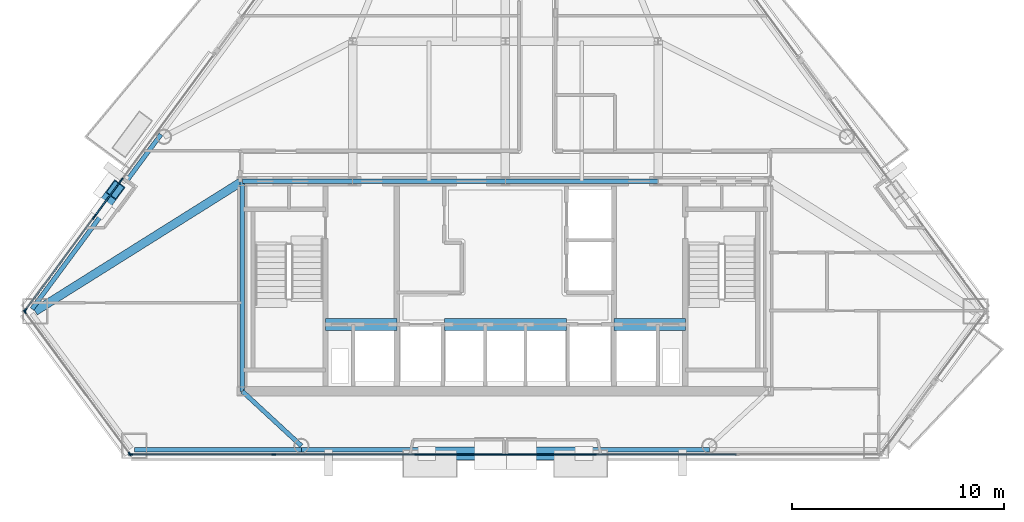
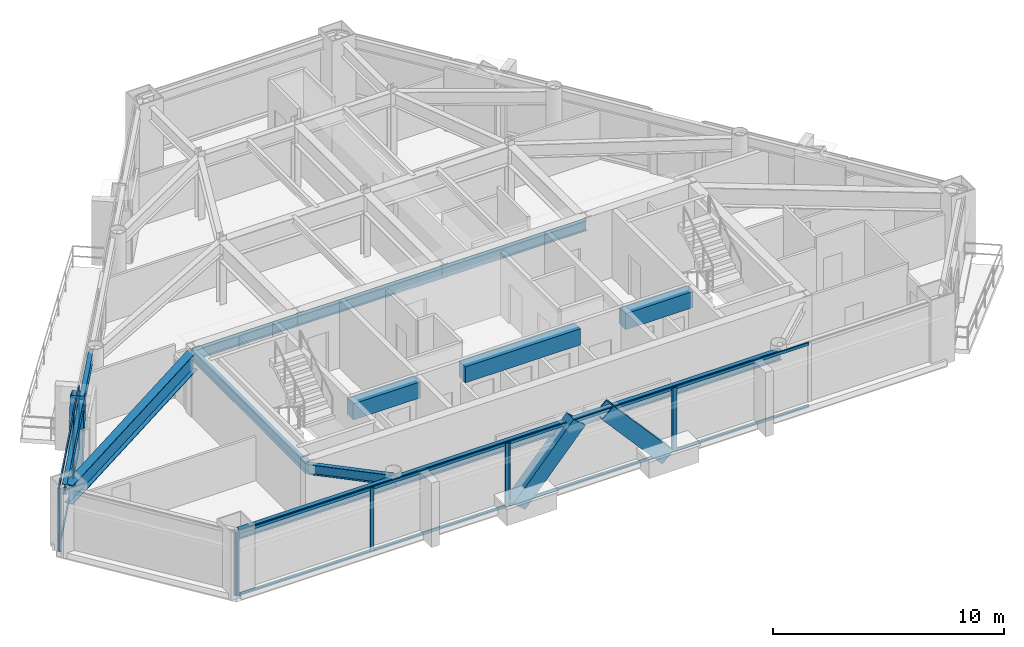
# One storey, part 3 of 11: 28 members, 12 beams, 7 elements without a shape of their own.
"""IFC4 building model written with IfcOpenShell, lengths in metres."""

import ifcopenshell
import ifcopenshell.guid

model = None  # the IFC model being written
_history = None  # IfcOwnerHistory: only IFC2X3 demands one
_inside = {}  # id of a spatial element -> (the spatial element, [elements in it])
_under = {}  # id of a project, library or spatial element -> (it, [spatial elements below it])
_declared = {}  # id of a project -> (the project, [libraries it declares])
_typed = {}  # id of a type object -> (the type object, [elements of that type])
_made_of = {}  # id of a material, layer set ... -> (it, [elements and type objects made of it])


def new_model(schema):
    """Start an empty IFC model of exactly this schema.

    Asked for "IFC4X3", IfcOpenShell would pick the latest addendum, in which some entities
    have other attributes; the version numbers below select the first issue.
    IFC2X3 requires an IfcOwnerHistory on every rooted entity: one is made here for all.
    """
    global model, _history
    if schema == "IFC4X3":
        model = ifcopenshell.file(schema_version=(4, 3, 0, 0))
    else:
        model = ifcopenshell.file(schema=schema)
    _inside.clear()
    _under.clear()
    _declared.clear()
    _typed.clear()
    _made_of.clear()
    _history = None
    if model.schema == "IFC2X3":
        org = make("IfcOrganization", Name="unknown")
        user = make(
            "IfcPersonAndOrganization",
            ThePerson=make("IfcPerson", FamilyName="unknown"),
            TheOrganization=org,
        )
        app = make(
            "IfcApplication",
            ApplicationDeveloper=org,
            Version="unknown",
            ApplicationFullName="unknown",
            ApplicationIdentifier="unknown",
        )
        _history = make(
            "IfcOwnerHistory",
            OwningUser=user,
            OwningApplication=app,
            ChangeAction="ADDED",
            CreationDate=0,
        )
    return model


def make(cls, **values):
    """One entity of the class cls with the attributes given. An attribute that is None is left unset."""
    return model.create_entity(
        cls, **{name: value for name, value in values.items() if value is not None}
    )


def rooted(cls, **values):
    """An entity with a GlobalId (a new one), such as an element, a storey or a relation."""
    return make(cls, GlobalId=ifcopenshell.guid.new(), OwnerHistory=_history, **values)


def si_unit(unit_type, name, prefix=None):
    """IfcSIUnit, for example si_unit("LENGTHUNIT", "METRE", prefix="MILLI")."""
    return make("IfcSIUnit", UnitType=unit_type, Prefix=prefix, Name=name)


def assignment(units):
    """IfcUnitAssignment: the units of a project."""
    return None if units is None else make("IfcUnitAssignment", Units=units)


def point(xyz):
    """IfcCartesianPoint."""
    return None if xyz is None else make("IfcCartesianPoint", Coordinates=xyz)


def direction(xyz):
    """IfcDirection."""
    return None if xyz is None else make("IfcDirection", DirectionRatios=xyz)


def frame(location, z_axis=None, x_axis=None):
    """IfcAxis2Placement3D, a coordinate frame: its origin and axes. An axis left out is left unset."""
    return make(
        "IfcAxis2Placement3D",
        Location=point(location),
        Axis=direction(z_axis),
        RefDirection=direction(x_axis),
    )


def frame_2d(location, x_axis=None):
    """IfcAxis2Placement2D, a coordinate frame in the plane: its origin and x axis."""
    return make(
        "IfcAxis2Placement2D", Location=point(location), RefDirection=direction(x_axis)
    )


def origin():
    """The frame at (0, 0, 0) with its axes left unset."""
    return frame((0.0, 0.0, 0.0))


def origin_2d():
    """The frame at (0, 0) in the plane with its x axis left unset."""
    return frame_2d((0.0, 0.0))


def place(relative_to, where):
    """IfcLocalPlacement: puts the frame where relative to a parent placement (None: the world)."""
    return make(
        "IfcLocalPlacement", PlacementRelTo=relative_to, RelativePlacement=where
    )


def context(
    kind, dimensions, precision=None, world=None, true_north=None, identifier=None
):
    """IfcGeometricRepresentationContext, for example the 3D "Model" context."""
    return make(
        "IfcGeometricRepresentationContext",
        ContextIdentifier=identifier,
        ContextType=kind,
        CoordinateSpaceDimension=dimensions,
        Precision=precision,
        WorldCoordinateSystem=world,
        TrueNorth=true_north,
    )


def subcontext(parent, identifier, kind, view, scale=None):
    """IfcGeometricRepresentationSubContext, for example "Body" below "Model"."""
    return make(
        "IfcGeometricRepresentationSubContext",
        ContextIdentifier=identifier,
        ContextType=kind,
        ParentContext=parent,
        TargetScale=scale,
        TargetView=view,
    )


def project(units=None, contexts=None):
    """IfcProject with its units and contexts."""
    return rooted(
        "IfcProject",
        Name="project",
        RepresentationContexts=contexts,
        UnitsInContext=assignment(units),
    )


def spatial(cls, under=None, at=None, **own):
    """A site, building, storey or space (cls), placed at a placement, below another one or the project."""
    s = rooted(cls, ObjectPlacement=at, **own)
    if under is not None:
        _under.setdefault(under.id(), (under, []))[1].append(s)
    return s


def profile(cls, at=None, kind="AREA", **sizes):
    """A parametric profile (cls). Its sizes go by their IFC names, for example OverallWidth=200.0."""
    return make(cls, ProfileType=kind, Position=at, **sizes)


def rectangle(**sizes):
    """IfcRectangleProfileDef."""
    return profile("IfcRectangleProfileDef", **sizes)


def hollow_rectangle(**sizes):
    """IfcRectangleHollowProfileDef."""
    return profile("IfcRectangleHollowProfileDef", **sizes)


def i_section(**sizes):
    """IfcIShapeProfileDef."""
    return profile("IfcIShapeProfileDef", **sizes)


def extrude(swept, where, along, depth):
    """IfcExtrudedAreaSolid: the profile swept, set in the frame where, extruded along a direction by depth."""
    return make(
        "IfcExtrudedAreaSolid",
        SweptArea=swept,
        Position=where,
        ExtrudedDirection=direction(along),
        Depth=depth,
    )


def shape(context_of_items, identifier, shape_type, items):
    """IfcShapeRepresentation: the items that make up one representation, for example the "Body"."""
    return make(
        "IfcShapeRepresentation",
        ContextOfItems=context_of_items,
        RepresentationIdentifier=identifier,
        RepresentationType=shape_type,
        Items=items,
    )


def material(Name=None, Category=None):
    """IfcMaterial."""
    return make("IfcMaterial", Name=Name, Category=Category)


def layer(
    of_material, thickness, ventilated=None, Name=None, Category=None, Priority=None
):
    """IfcMaterialLayer: one layer of a wall or slab, of a material (None: an air gap)."""
    return make(
        "IfcMaterialLayer",
        Material=of_material,
        LayerThickness=thickness,
        IsVentilated=ventilated,
        Name=Name,
        Category=Category,
        Priority=Priority,
    )


def layer_set(layers, Name=None):
    """IfcMaterialLayerSet."""
    return make("IfcMaterialLayerSet", MaterialLayers=layers, LayerSetName=Name)


def material_profile(
    of_material, cross_section, Name=None, Category=None, Priority=None
):
    """IfcMaterialProfile: a cross section and its material."""
    return make(
        "IfcMaterialProfile",
        Name=Name,
        Material=of_material,
        Profile=cross_section,
        Priority=Priority,
        Category=Category,
    )


def profile_set(profiles, Name=None, composite=None):
    """IfcMaterialProfileSet."""
    return make(
        "IfcMaterialProfileSet",
        Name=Name,
        MaterialProfiles=profiles,
        CompositeProfile=composite,
    )


def made_of(thing, what):
    """Note that an element or type object is made of a material, layer set ...; save() writes the relation."""
    if what is not None:
        _made_of.setdefault(what.id(), (what, []))[1].append(thing)
    return thing


def type_object(cls, material=None, **own):
    """A type object (cls), such as IfcWallType, which elements share."""
    return made_of(rooted(cls, **own), material)


def element(
    cls,
    number,
    at=None,
    inside=None,
    cuts=None,
    type_object=None,
    material=None,
    context=None,
    identifier="Body",
    shape_type=None,
    held_by="IfcProductDefinitionShape",
    body=None,
    shapes=None,
    **own,
):
    """One element of the class cls, such as IfcWall. Its Tag is "e" and its number.

    at: its placement. inside: the storey or other place that contains it. cuts: it is an
    opening in that element (IfcRelVoidsElement). A single representation is given by context,
    identifier, shape_type and body (its items); several are given by shapes. held_by: the class
    of the entity that holds the representations. save() writes the other relations.
    """
    e = rooted(cls, Tag="e%d" % number, ObjectPlacement=at, **own)
    if body is not None:
        shapes = [shape(context, identifier, shape_type, body)]
    if shapes is not None:
        e.Representation = make(held_by, Representations=shapes)
    if inside is not None:
        _inside.setdefault(inside.id(), (inside, []))[1].append(e)
    if cuts is not None:
        rooted(
            "IfcRelVoidsElement", RelatingBuildingElement=cuts, RelatedOpeningElement=e
        )
    if type_object is not None:
        _typed.setdefault(type_object.id(), (type_object, []))[1].append(e)
    return made_of(e, material)


def aggregate(whole, parts):
    """IfcRelAggregates: a whole, such as a stair, and the parts it consists of."""
    return rooted("IfcRelAggregates", RelatingObject=whole, RelatedObjects=parts)


def save(model, path):
    """Write the relations noted so far, then the file.

    IfcRelAggregates (storeys below a building ...), IfcRelContainedInSpatialStructure (elements
    in a storey), IfcRelDefinesByType, IfcRelAssociatesMaterial and IfcRelDeclares: one each for
    every whole, place, type object, material and project.
    """
    for whole, parts in _under.values():
        aggregate(whole, parts)
    for where, things in _inside.values():
        rooted(
            "IfcRelContainedInSpatialStructure",
            RelatedElements=things,
            RelatingStructure=where,
        )
    for kind, things in _typed.values():
        rooted("IfcRelDefinesByType", RelatedObjects=things, RelatingType=kind)
    for what, things in _made_of.values():
        rooted("IfcRelAssociatesMaterial", RelatedObjects=things, RelatingMaterial=what)
    for by, libraries in _declared.values():
        rooted("IfcRelDeclares", RelatingContext=by, RelatedDefinitions=libraries)
    model.write(path)


model = new_model("IFC4")

# Units and contexts
model_context = context("Model", 3, precision=1e-05, world=origin(), true_north=direction((0.0, 1.0)))
body_context = subcontext(model_context, "Body", "Model", "MODEL_VIEW")
ifc_project = project(units=[si_unit("LENGTHUNIT", "METRE"), si_unit("AREAUNIT", "SQUARE_METRE"), si_unit("VOLUMEUNIT", "CUBIC_METRE"), si_unit("PLANEANGLEUNIT", "RADIAN"), si_unit("MASSUNIT", "GRAM", prefix="KILO")], contexts=[model_context])

# Site, building, storey
site_placement = place(None, origin())
site = spatial("IfcSite", under=ifc_project, at=site_placement, CompositionType="ELEMENT")
building_placement = place(site_placement, origin())
building = spatial("IfcBuilding", under=site, at=building_placement, Name="Talgorran Terracotta Tower", CompositionType="ELEMENT")
storey_placement = place(building_placement, frame((0.0, 0.0, 147.300048828125)))
storey = spatial("IfcBuildingStorey", under=building, at=storey_placement, Name="L38", CompositionType="ELEMENT", Elevation=147.300048828125)

# Beams
ifc_material_1 = material(Name="Steel Grade 350 (350L0)", Category="steel")
ifc_material_profile_1 = material_profile(ifc_material_1, i_section(OverallWidth=0.39990234375, OverallDepth=1.0, WebThickness=0.01611328125, FlangeThickness=0.031005859375, at=origin_2d()), Name="1000WB296")
ifc_profile_set_1 = profile_set([ifc_material_profile_1], Name="Steel Grade 350 (350L0)")
beam_type_1 = type_object("IfcBeamType", Name="BM_1000WB296", PredefinedType="BEAM", material=ifc_profile_set_1)
beam_1_placement = place(storey_placement, frame((-12.39990234375, -4.199951171875, 2.849853515625), z_axis=(-0.846977550412, -0.531628657145, 0.0), x_axis=(0.531628657145, -0.846977550412, 0.0)))
element("IfcBeam", 1, at=beam_1_placement, inside=storey, type_object=beam_type_1, Name="L38 Floor Girder G17", PredefinedType="BEAM", context=body_context, shape_type="SweptSolid", body=[
    extrude(i_section(OverallWidth=0.39990234375, OverallDepth=1.0, WebThickness=0.01611328125, FlangeThickness=0.031005859375, at=origin_2d()), origin(), (0.0, 0.0, 1.0), 11.533203125),
])
ifc_material_2 = material(Name="Concrete C50/60", Category="concrete")
ifc_material_profile_2 = material_profile(ifc_material_2, rectangle(XDim=0.550048828125, YDim=0.85009765625, at=origin_2d()), Name="RCCB550X850")
ifc_profile_set_2 = profile_set([ifc_material_profile_2], Name="Concrete C50/60")
beam_type_2 = type_object("IfcBeamType", Name="BM_CB_550X850", PredefinedType="LINTEL", material=ifc_profile_set_2)
beam_2_placement = place(storey_placement, frame((-8.47998046875, -10.949951171875, 2.925048828125), z_axis=(1.0, 0.0, 0.0), x_axis=(0.0, 1.0, 0.0)))
element("IfcBeam", 2, at=beam_2_placement, inside=storey, type_object=beam_type_2, Name="L38 Core Shear-Wall Coupling Beam CB1", PredefinedType="LINTEL", context=body_context, shape_type="SweptSolid", body=[
    extrude(rectangle(XDim=0.550048828125, YDim=0.85009765625, at=origin_2d()), origin(), (0.0, 0.0, 1.0), 3.35986328125),
])
beam_3_placement = place(storey_placement, frame((-2.8798828125, -10.949951171875, 2.925048828125), z_axis=(1.0, 0.0, 0.0), x_axis=(0.0, 1.0, 0.0)))
element("IfcBeam", 3, at=beam_3_placement, inside=storey, type_object=beam_type_2, Name="L38 Core Shear-Wall Coupling Beam CB2", PredefinedType="LINTEL", context=body_context, shape_type="SweptSolid", body=[
    extrude(rectangle(XDim=0.550048828125, YDim=0.85009765625, at=origin_2d()), origin(), (0.0, 0.0, 1.0), 5.759765625),
])
beam_4_placement = place(storey_placement, frame((5.1201171875, -10.949951171875, 2.925048828125), z_axis=(1.0, 0.0, 0.0), x_axis=(0.0, 1.0, 0.0)))
element("IfcBeam", 4, at=beam_4_placement, inside=storey, type_object=beam_type_2, Name="L38 Core Shear-Wall Coupling Beam CB3", PredefinedType="LINTEL", context=body_context, shape_type="SweptSolid", body=[
    extrude(rectangle(XDim=0.550048828125, YDim=0.85009765625, at=origin_2d()), origin(), (0.0, 0.0, 1.0), 3.35986328125),
])
ifc_material_3 = material(Name="Steel S355 (300PLUS)", Category="steel")
ifc_material_profile_3 = material_profile(ifc_material_3, i_section(OverallWidth=0.209228515625, OverallDepth=0.532958984375, WebThickness=0.01025390625, FlangeThickness=0.015625, at=origin_2d()), Name="530UB92.4")
ifc_profile_set_3 = profile_set([ifc_material_profile_3], Name="Steel S355 (300PLUS)")
beam_type_3 = type_object("IfcBeamType", Name="BM_SP_530UB92", PredefinedType="SPANDREL", material=ifc_profile_set_3)
beam_5_placement = place(storey_placement, frame((-17.483642578125, -16.8544921875, 3.08349609375), z_axis=(1.0, 0.0, 0.0), x_axis=(0.0, 1.0, 0.0)))
element("IfcBeam", 5, at=beam_5_placement, inside=storey, type_object=beam_type_3, Name="L38 Perimeter Spandrel Beam MC2-FC1", PredefinedType="SPANDREL", context=body_context, shape_type="SweptSolid", body=[
    extrude(i_section(OverallWidth=0.209228515625, OverallDepth=0.532958984375, WebThickness=0.01025390625, FlangeThickness=0.015625, at=origin_2d()), origin(), (0.0, 0.0, 1.0), 7.86767578125),
])
beam_6_placement = place(storey_placement, frame((-9.615966796875, -16.8544921875, 3.08349609375), z_axis=(1.0, 0.0, 0.0), x_axis=(0.0, 1.0, 0.0)))
element("IfcBeam", 6, at=beam_6_placement, inside=storey, type_object=beam_type_3, Name="L38 Perimeter Spandrel Beam FC1-FC2", PredefinedType="SPANDREL", context=body_context, shape_type="SweptSolid", body=[
    extrude(i_section(OverallWidth=0.209228515625, OverallDepth=0.532958984375, WebThickness=0.01025390625, FlangeThickness=0.015625, at=origin_2d()), origin(), (0.0, 0.0, 1.0), 19.23193359375),
])
beam_7_placement = place(storey_placement, frame((-16.236328125, -1.99609375, 3.08349609375), z_axis=(-0.594068215055, -0.804414666613, 0.0), x_axis=(0.804414666613, -0.594068215055, 0.0)))
element("IfcBeam", 7, at=beam_7_placement, inside=storey, type_object=beam_type_3, Name="L38 Perimeter Spandrel Beam FC6-MC1", PredefinedType="SPANDREL", context=body_context, shape_type="SweptSolid", body=[
    extrude(i_section(OverallWidth=0.209228515625, OverallDepth=0.532958984375, WebThickness=0.01025390625, FlangeThickness=0.015625, at=origin_2d()), origin(), (0.0, 0.0, 1.0), 10.22900390625),
])
beam_8_placement = place(storey_placement, frame((-9.615966796875, -16.67431640625, 3.08349609375), z_axis=(-0.734220592544, 0.678910982003, 0.0), x_axis=(-0.678910982003, -0.734220592544, 0.0)))
element("IfcBeam", 8, at=beam_8_placement, inside=storey, type_object=beam_type_3, Name="L38 South-West Core Tie Beam", PredefinedType="SPANDREL", context=body_context, shape_type="SweptSolid", body=[
    extrude(i_section(OverallWidth=0.209228515625, OverallDepth=0.532958984375, WebThickness=0.01025390625, FlangeThickness=0.015625, at=origin_2d()), origin(), (0.0, 0.0, 1.0), 3.791748046875),
])
beam_9_placement = place(storey_placement, frame((-12.39990234375, -14.10009765625, 3.08349609375), z_axis=(0.0, 1.0, 0.0), x_axis=(-1.0, 0.0, 0.0)))
element("IfcBeam", 9, at=beam_9_placement, inside=storey, type_object=beam_type_3, Name="L38 Core Frame Beam CFW", PredefinedType="SPANDREL", context=body_context, shape_type="SweptSolid", body=[
    extrude(i_section(OverallWidth=0.209228515625, OverallDepth=0.532958984375, WebThickness=0.01025390625, FlangeThickness=0.015625, at=origin_2d()), origin(), (0.0, 0.0, 1.0), 9.900146484375),
])
beam_10_placement = place(storey_placement, frame((-12.39990234375, -4.199951171875, 3.08349609375), z_axis=(1.0, 0.0, 0.0), x_axis=(0.0, 1.0, 0.0)))
element("IfcBeam", 10, at=beam_10_placement, inside=storey, type_object=beam_type_3, Name="L38 Core Frame Beam CFN1", PredefinedType="SPANDREL", context=body_context, shape_type="SweptSolid", body=[
    extrude(i_section(OverallWidth=0.209228515625, OverallDepth=0.532958984375, WebThickness=0.01025390625, FlangeThickness=0.015625, at=origin_2d()), origin(), (0.0, 0.0, 1.0), 5.199951171875),
])
for number, where, z_axis, x_axis, name in (
    (11, (-7.199951171875, -4.199951171875, 3.08349609375), (1.0, 0.0, 0.0), (0.0, 1.0, 0.0), "L38 Core Frame Beam CFN2"),
    (12, (0.0, -4.199951171875, 3.08349609375), (1.0, 0.0, 0.0), (0.0, 1.0, 0.0), "L38 Core Frame Beam CFN3"),
):
    element("IfcBeam", number, at=place(storey_placement, frame(where, z_axis=z_axis, x_axis=x_axis)), inside=storey, type_object=beam_type_3, Name=name, PredefinedType="SPANDREL", context=body_context, shape_type="SweptSolid", body=[
        extrude(i_section(OverallWidth=0.209228515625, OverallDepth=0.532958984375, WebThickness=0.01025390625, FlangeThickness=0.015625, at=origin_2d()), origin(), (0.0, 0.0, 1.0), 7.199951171875),
    ])

# Members
ifc_material_profile_4 = material_profile(ifc_material_1, hollow_rectangle(XDim=0.6201171875, YDim=0.780029296875, WallThickness=0.0419921875, at=origin_2d()), Name="WBOX780X620X42")
ifc_profile_set_4 = profile_set([ifc_material_profile_4], Name="Steel Grade 350 (350L0)")
member_type_1 = type_object("IfcMemberType", Name="MB_MEGA_780", PredefinedType="BRACE", material=ifc_profile_set_4)
for number, where, z_axis, x_axis, name in (
    (13, (-3.709716796875, -17.034423828125, -0.025146484375), (0.661998898234, 0.0, 0.749504809016), (0.0, 1.0, 0.0), "L38 Exterior Face Mega-Brace MB-2 (SWF)"),
    (14, (3.709716796875, -17.034423828125, -0.025146484375), (-0.661998898234, 0.0, 0.749504809016), (0.0, -1.0, 0.0), "L38 Exterior Face Mega-Brace MB-2 (SEF)"),
):
    element("IfcMember", number, at=place(storey_placement, frame(where, z_axis=z_axis, x_axis=x_axis)), inside=storey, type_object=member_type_1, Name=name, PredefinedType="BRACE", context=body_context, shape_type="SweptSolid", body=[
        extrude(hollow_rectangle(XDim=0.6201171875, YDim=0.780029296875, WallThickness=0.0419921875, at=origin_2d()), origin(), (0.0, 0.0, 1.0), 4.53662109375),
    ])
member_1_placement = place(storey_placement, frame((-19.037353515625, -5.48583984375, -0.025146484375), z_axis=(0.18257277214, 0.247211186229, 0.951605912275), x_axis=(-0.804407113158, 0.594078442885, 0.0)))
element("IfcMember", 15, at=member_1_placement, inside=storey, type_object=member_type_1, Name="L38 Exterior Face Mega-Brace MB-2 (NWL)", PredefinedType="BRACE", context=body_context, shape_type="SweptSolid", body=[
    extrude(hollow_rectangle(XDim=0.6201171875, YDim=0.780029296875, WallThickness=0.0419921875, at=origin_2d()), origin(), (0.0, 0.0, 1.0), 3.572998046875),
])

# Curtain wall, members
ifc_material_4 = material(Name="Unitised Low-E Double Glazing", Category="glass")
ifc_layer = layer(ifc_material_4, 0.199951171875, Name="CW_SYS2_RES_LOW")
ifc_layer_set = layer_set([ifc_layer], Name="Unitised Low-E Double Glazing")
curtain_wall_type = type_object("IfcCurtainWallType", Name="CW_SYS2_RES_LOW", PredefinedType="NOTDEFINED", material=ifc_layer_set)
curtain_wall_1_placement = place(storey_placement, origin())
curtain_wall_1 = element("IfcCurtainWall", 16, at=curtain_wall_1_placement, inside=storey, type_object=curtain_wall_type, Name="CW-L38-F0", PredefinedType="NOTDEFINED")
ifc_material_5 = material(Name="Architectural Aluminium 6063-T6", Category="aluminium")
ifc_material_profile_5 = material_profile(ifc_material_5, rectangle(XDim=0.06494140625, YDim=0.18505859375, at=origin_2d()), Name="CWM65X185")
ifc_profile_set_5 = profile_set([ifc_material_profile_5], Name="Architectural Aluminium 6063-T6")
member_type_2 = type_object("IfcMemberType", Name="MUL_65X185", PredefinedType="MULLION", material=ifc_profile_set_5)
member_2_placement = place(storey_placement, frame((-22.646240234375, -10.357421875, 0.0), z_axis=(0.0, 0.0, 1.0), x_axis=(0.804404412487, 0.594082099689, 0.0)))
member_2 = element("IfcMember", 17, at=member_2_placement, type_object=member_type_2, Name="CW-L38-0 mullion 1", PredefinedType="MULLION", context=body_context, shape_type="SweptSolid", body=[
    extrude(rectangle(XDim=0.06494140625, YDim=0.18505859375, at=origin_2d()), origin(), (0.0, 0.0, 1.0), 3.349853515625),
])
member_3_placement = place(storey_placement, frame((-17.70458984375, -17.04833984375, 0.0), z_axis=(0.0, 0.0, 1.0), x_axis=(0.804404412487, 0.594082099689, 0.0)))
member_3 = element("IfcMember", 18, at=member_3_placement, type_object=member_type_2, Name="CW-L38-0 mullion 2", PredefinedType="MULLION", context=body_context, shape_type="SweptSolid", body=[
    extrude(rectangle(XDim=0.06494140625, YDim=0.18505859375, at=origin_2d()), origin(), (0.0, 0.0, 1.0), 3.349853515625),
])
aggregate(curtain_wall_1, [member_2, member_3])

curtain_wall_2_placement = place(storey_placement, origin())
curtain_wall_2 = element("IfcCurtainWall", 19, at=curtain_wall_2_placement, inside=storey, type_object=curtain_wall_type, Name="CW-L38-F1", PredefinedType="NOTDEFINED")
member_4_placement = place(storey_placement, frame((-17.65283203125, -17.074462890625, 0.0), z_axis=(0.0, 0.0, 1.0), x_axis=(0.0, 1.0, 0.0)))
member_4 = element("IfcMember", 20, at=member_4_placement, type_object=member_type_2, Name="CW-L38-1 mullion 1", PredefinedType="MULLION", context=body_context, shape_type="SweptSolid", body=[
    extrude(rectangle(XDim=0.06494140625, YDim=0.18505859375, at=origin_2d()), origin(), (0.0, 0.0, 1.0), 3.349853515625),
])
member_5_placement = place(storey_placement, frame((-10.921142578125, -17.074462890625, 0.0), z_axis=(0.0, 0.0, 1.0), x_axis=(0.0, 1.0, 0.0)))
member_5 = element("IfcMember", 21, at=member_5_placement, type_object=member_type_2, Name="CW-L38-1 mullion 2", PredefinedType="MULLION", context=body_context, shape_type="SweptSolid", body=[
    extrude(rectangle(XDim=0.06494140625, YDim=0.18505859375, at=origin_2d()), origin(), (0.0, 0.0, 1.0), 3.349853515625),
])
member_6_placement = place(storey_placement, frame((-4.189453125, -17.074462890625, 0.0), z_axis=(0.0, 0.0, 1.0), x_axis=(0.0, 1.0, 0.0)))
member_6 = element("IfcMember", 22, at=member_6_placement, type_object=member_type_2, Name="CW-L38-1 mullion 3", PredefinedType="MULLION", context=body_context, shape_type="SweptSolid", body=[
    extrude(rectangle(XDim=0.06494140625, YDim=0.18505859375, at=origin_2d()), origin(), (0.0, 0.0, 1.0), 3.349853515625),
])

curtain_wall_3_placement = place(storey_placement, origin())
curtain_wall_3 = element("IfcCurtainWall", 23, at=curtain_wall_3_placement, inside=storey, type_object=curtain_wall_type, Name="CW-L38-F1B", PredefinedType="NOTDEFINED")
member_7_placement = place(storey_placement, frame((-4.114501953125, -17.074462890625, 0.0), z_axis=(0.0, 0.0, 1.0), x_axis=(0.0, 1.0, 0.0)))
member_7 = element("IfcMember", 24, at=member_7_placement, type_object=member_type_2, Name="CW-L38-1B mullion 1", PredefinedType="MULLION", context=body_context, shape_type="SweptSolid", body=[
    extrude(rectangle(XDim=0.06494140625, YDim=0.18505859375, at=origin_2d()), origin(), (0.0, 0.0, 1.0), 3.349853515625),
])
member_8_placement = place(storey_placement, frame((4.114501953125, -17.074462890625, 0.0), z_axis=(0.0, 0.0, 1.0), x_axis=(0.0, 1.0, 0.0)))
member_8 = element("IfcMember", 25, at=member_8_placement, type_object=member_type_2, Name="CW-L38-1B mullion 2", PredefinedType="MULLION", context=body_context, shape_type="SweptSolid", body=[
    extrude(rectangle(XDim=0.06494140625, YDim=0.18505859375, at=origin_2d()), origin(), (0.0, 0.0, 1.0), 3.349853515625),
])

# Curtain wall, member
curtain_wall_4_placement = place(storey_placement, origin())
curtain_wall_4 = element("IfcCurtainWall", 26, at=curtain_wall_4_placement, inside=storey, type_object=curtain_wall_type, Name="CW-L38-F1C", PredefinedType="NOTDEFINED")
member_9_placement = place(storey_placement, frame((4.189453125, -17.074462890625, 0.0), z_axis=(0.0, 0.0, 1.0), x_axis=(0.0, 1.0, 0.0)))
member_9 = element("IfcMember", 27, at=member_9_placement, type_object=member_type_2, Name="CW-L38-1C mullion 1", PredefinedType="MULLION", context=body_context, shape_type="SweptSolid", body=[
    extrude(rectangle(XDim=0.06494140625, YDim=0.18505859375, at=origin_2d()), origin(), (0.0, 0.0, 1.0), 3.349853515625),
])

curtain_wall_5_placement = place(storey_placement, origin())
curtain_wall_5 = element("IfcCurtainWall", 28, at=curtain_wall_5_placement, inside=storey, type_object=curtain_wall_type, Name="CW-L38-F61", PredefinedType="NOTDEFINED")
member_10_placement = place(storey_placement, frame((-18.08544921875, -4.12939453125, 0.0), z_axis=(0.0, 0.0, 1.0), x_axis=(0.804408240756, -0.594076916067, 0.0)))
member_10 = element("IfcMember", 29, at=member_10_placement, type_object=member_type_2, Name="CW-L38-61 mullion 2", PredefinedType="MULLION", context=body_context, shape_type="SweptSolid", body=[
    extrude(rectangle(XDim=0.06494140625, YDim=0.18505859375, at=origin_2d()), origin(), (0.0, 0.0, 1.0), 3.349853515625),
])
aggregate(curtain_wall_5, [member_10])

# Curtain wall, members
curtain_wall_6_placement = place(storey_placement, origin())
curtain_wall_6 = element("IfcCurtainWall", 30, at=curtain_wall_6_placement, inside=storey, type_object=curtain_wall_type, Name="CW-L38-F61B", PredefinedType="NOTDEFINED")
member_11_placement = place(storey_placement, frame((-18.1298828125, -4.18994140625, 0.0), z_axis=(0.0, 0.0, 1.0), x_axis=(0.804400478382, -0.594087426545, 0.0)))
member_11 = element("IfcMember", 31, at=member_11_placement, type_object=member_type_2, Name="CW-L38-61B mullion 1", PredefinedType="MULLION", context=body_context, shape_type="SweptSolid", body=[
    extrude(rectangle(XDim=0.06494140625, YDim=0.18505859375, at=origin_2d()), origin(), (0.0, 0.0, 1.0), 3.349853515625),
])
member_12_placement = place(storey_placement, frame((-19.356689453125, -5.85107421875, 0.0), z_axis=(0.0, 0.0, 1.0), x_axis=(0.804400478382, -0.594087426545, 0.0)))
member_12 = element("IfcMember", 32, at=member_12_placement, type_object=member_type_2, Name="CW-L38-61B mullion 2", PredefinedType="MULLION", context=body_context, shape_type="SweptSolid", body=[
    extrude(rectangle(XDim=0.06494140625, YDim=0.18505859375, at=origin_2d()), origin(), (0.0, 0.0, 1.0), 3.349853515625),
])

curtain_wall_7_placement = place(storey_placement, origin())
curtain_wall_7 = element("IfcCurtainWall", 33, at=curtain_wall_7_placement, inside=storey, type_object=curtain_wall_type, Name="CW-L38-F61C", PredefinedType="NOTDEFINED")
member_13_placement = place(storey_placement, frame((-19.4013671875, -5.911376953125, 0.0), z_axis=(0.0, 0.0, 1.0), x_axis=(0.804411292172, -0.594072784283, 0.0)))
member_13 = element("IfcMember", 34, at=member_13_placement, type_object=member_type_2, Name="CW-L38-61C mullion 1", PredefinedType="MULLION", context=body_context, shape_type="SweptSolid", body=[
    extrude(rectangle(XDim=0.06494140625, YDim=0.18505859375, at=origin_2d()), origin(), (0.0, 0.0, 1.0), 3.349853515625),
])
member_14_placement = place(storey_placement, frame((-22.622314453125, -10.27294921875, 0.0), z_axis=(0.0, 0.0, 1.0), x_axis=(0.804411292172, -0.594072784283, 0.0)))
member_14 = element("IfcMember", 35, at=member_14_placement, type_object=member_type_2, Name="CW-L38-61C mullion 2", PredefinedType="MULLION", context=body_context, shape_type="SweptSolid", body=[
    extrude(rectangle(XDim=0.06494140625, YDim=0.18505859375, at=origin_2d()), origin(), (0.0, 0.0, 1.0), 3.349853515625),
])

# Member
ifc_material_profile_6 = material_profile(ifc_material_5, rectangle(XDim=0.06494140625, YDim=0.14990234375, at=origin_2d()), Name="CWT65X150")
ifc_profile_set_6 = profile_set([ifc_material_profile_6], Name="Architectural Aluminium 6063-T6")
member_type_3 = type_object("IfcMemberType", Name="TRN_65X150", PredefinedType="USERDEFINED", material=ifc_profile_set_6)
member_15_placement = place(storey_placement, frame((-17.620361328125, -17.074462890625, 0.032470703125), z_axis=(1.0, 0.0, 0.0), x_axis=(0.0, 1.0, 0.0)))
member_15 = element("IfcMember", 36, at=member_15_placement, type_object=member_type_3, Name="CW-L38-1 transom 1.1", ObjectType="TRANSOM", PredefinedType="USERDEFINED", context=body_context, shape_type="SweptSolid", body=[
    extrude(rectangle(XDim=0.06494140625, YDim=0.14990234375, at=origin_2d()), origin(), (0.0, 0.0, 1.0), 6.666748046875),
])

member_16_placement = place(storey_placement, frame((-17.620361328125, -17.074462890625, 3.3173828125), z_axis=(1.0, 0.0, 0.0), x_axis=(0.0, 1.0, 0.0)))
member_16 = element("IfcMember", 37, at=member_16_placement, type_object=member_type_3, Name="CW-L38-1 transom 1.2", ObjectType="TRANSOM", PredefinedType="USERDEFINED", context=body_context, shape_type="SweptSolid", body=[
    extrude(rectangle(XDim=0.06494140625, YDim=0.14990234375, at=origin_2d()), origin(), (0.0, 0.0, 1.0), 6.666748046875),
])

member_17_placement = place(storey_placement, frame((-10.888671875, -17.074462890625, 0.032470703125), z_axis=(1.0, 0.0, 0.0), x_axis=(0.0, 1.0, 0.0)))
member_17 = element("IfcMember", 38, at=member_17_placement, type_object=member_type_3, Name="CW-L38-1 transom 2.1", ObjectType="TRANSOM", PredefinedType="USERDEFINED", context=body_context, shape_type="SweptSolid", body=[
    extrude(rectangle(XDim=0.06494140625, YDim=0.14990234375, at=origin_2d()), origin(), (0.0, 0.0, 1.0), 6.666748046875),
])

member_18_placement = place(storey_placement, frame((-10.888671875, -17.074462890625, 3.3173828125), z_axis=(1.0, 0.0, 0.0), x_axis=(0.0, 1.0, 0.0)))
member_18 = element("IfcMember", 39, at=member_18_placement, type_object=member_type_3, Name="CW-L38-1 transom 2.2", ObjectType="TRANSOM", PredefinedType="USERDEFINED", context=body_context, shape_type="SweptSolid", body=[
    extrude(rectangle(XDim=0.06494140625, YDim=0.14990234375, at=origin_2d()), origin(), (0.0, 0.0, 1.0), 6.666748046875),
])

aggregate(curtain_wall_2, [member_4, member_5, member_6, member_15, member_16, member_17, member_18])

member_19_placement = place(storey_placement, frame((-4.08203125, -17.074462890625, 0.032470703125), z_axis=(1.0, 0.0, 0.0), x_axis=(0.0, 1.0, 0.0)))
member_19 = element("IfcMember", 40, at=member_19_placement, type_object=member_type_3, Name="CW-L38-1B transom 1.1", ObjectType="TRANSOM", PredefinedType="USERDEFINED", context=body_context, shape_type="SweptSolid", body=[
    extrude(rectangle(XDim=0.06494140625, YDim=0.14990234375, at=origin_2d()), origin(), (0.0, 0.0, 1.0), 8.1640625),
])

member_20_placement = place(storey_placement, frame((-4.08203125, -17.074462890625, 3.3173828125), z_axis=(1.0, 0.0, 0.0), x_axis=(0.0, 1.0, 0.0)))
member_20 = element("IfcMember", 41, at=member_20_placement, type_object=member_type_3, Name="CW-L38-1B transom 1.2", ObjectType="TRANSOM", PredefinedType="USERDEFINED", context=body_context, shape_type="SweptSolid", body=[
    extrude(rectangle(XDim=0.06494140625, YDim=0.14990234375, at=origin_2d()), origin(), (0.0, 0.0, 1.0), 8.1640625),
])

aggregate(curtain_wall_3, [member_7, member_8, member_19, member_20])

member_21_placement = place(storey_placement, frame((4.221923828125, -17.074462890625, 0.032470703125), z_axis=(1.0, 0.0, 0.0), x_axis=(0.0, 1.0, 0.0)))
member_21 = element("IfcMember", 42, at=member_21_placement, type_object=member_type_3, Name="CW-L38-1C transom 1.1", ObjectType="TRANSOM", PredefinedType="USERDEFINED", context=body_context, shape_type="SweptSolid", body=[
    extrude(rectangle(XDim=0.06494140625, YDim=0.14990234375, at=origin_2d()), origin(), (0.0, 0.0, 1.0), 6.666748046875),
])

member_22_placement = place(storey_placement, frame((4.221923828125, -17.074462890625, 3.3173828125), z_axis=(1.0, 0.0, 0.0), x_axis=(0.0, 1.0, 0.0)))
member_22 = element("IfcMember", 43, at=member_22_placement, type_object=member_type_3, Name="CW-L38-1C transom 1.2", ObjectType="TRANSOM", PredefinedType="USERDEFINED", context=body_context, shape_type="SweptSolid", body=[
    extrude(rectangle(XDim=0.06494140625, YDim=0.14990234375, at=origin_2d()), origin(), (0.0, 0.0, 1.0), 6.666748046875),
])

aggregate(curtain_wall_4, [member_9, member_21, member_22])

member_23_placement = place(storey_placement, frame((-18.149169921875, -4.216064453125, 0.032470703125), z_axis=(-0.594085559723, -0.804401857114, 0.0), x_axis=(0.804401857114, -0.594085559723, 0.0)))
member_23 = element("IfcMember", 44, at=member_23_placement, type_object=member_type_3, Name="CW-L38-61B transom 1.1", ObjectType="TRANSOM", PredefinedType="USERDEFINED", context=body_context, shape_type="SweptSolid", body=[
    extrude(rectangle(XDim=0.06494140625, YDim=0.14990234375, at=origin_2d()), origin(), (0.0, 0.0, 1.0), 2.0),
])

member_24_placement = place(storey_placement, frame((-18.149169921875, -4.216064453125, 3.3173828125), z_axis=(-0.594085559723, -0.804401857114, 0.0), x_axis=(0.804401857114, -0.594085559723, 0.0)))
member_24 = element("IfcMember", 45, at=member_24_placement, type_object=member_type_3, Name="CW-L38-61B transom 1.2", ObjectType="TRANSOM", PredefinedType="USERDEFINED", context=body_context, shape_type="SweptSolid", body=[
    extrude(rectangle(XDim=0.06494140625, YDim=0.14990234375, at=origin_2d()), origin(), (0.0, 0.0, 1.0), 2.0),
])

aggregate(curtain_wall_6, [member_11, member_12, member_23, member_24])

member_25_placement = place(storey_placement, frame((-19.420654296875, -5.9375, 0.032470703125), z_axis=(-0.594055278128, -0.804424220501, 0.0), x_axis=(0.804424220501, -0.594055278128, 0.0)))
member_25 = element("IfcMember", 46, at=member_25_placement, type_object=member_type_3, Name="CW-L38-61C transom 1.1", ObjectType="TRANSOM", PredefinedType="USERDEFINED", context=body_context, shape_type="SweptSolid", body=[
    extrude(rectangle(XDim=0.06494140625, YDim=0.14990234375, at=origin_2d()), origin(), (0.0, 0.0, 1.0), 5.35693359375),
])

member_26_placement = place(storey_placement, frame((-19.420654296875, -5.9375, 3.3173828125), z_axis=(-0.594055278128, -0.804424220501, 0.0), x_axis=(0.804424220501, -0.594055278128, 0.0)))
member_26 = element("IfcMember", 47, at=member_26_placement, type_object=member_type_3, Name="CW-L38-61C transom 1.2", ObjectType="TRANSOM", PredefinedType="USERDEFINED", context=body_context, shape_type="SweptSolid", body=[
    extrude(rectangle(XDim=0.06494140625, YDim=0.14990234375, at=origin_2d()), origin(), (0.0, 0.0, 1.0), 5.35693359375),
])

aggregate(curtain_wall_7, [member_13, member_14, member_25, member_26])

save(model, "model.ifc")
